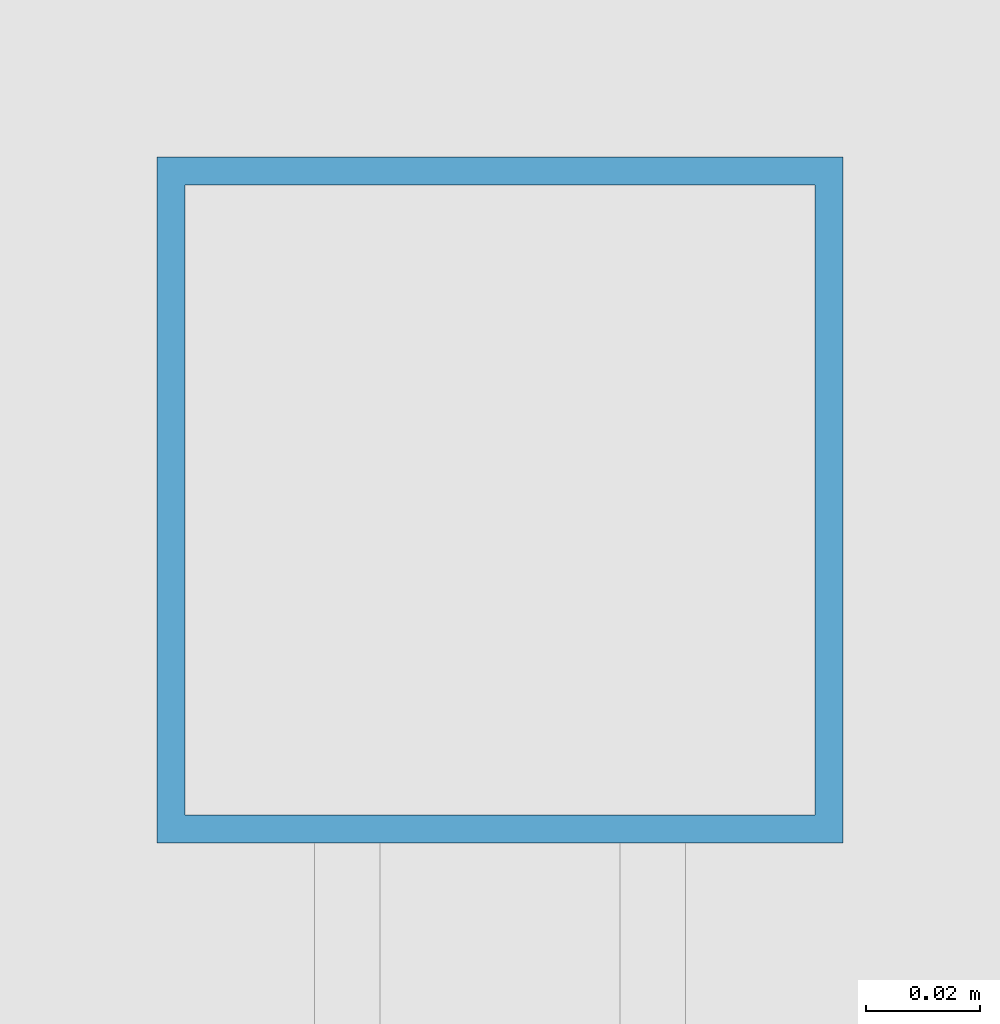
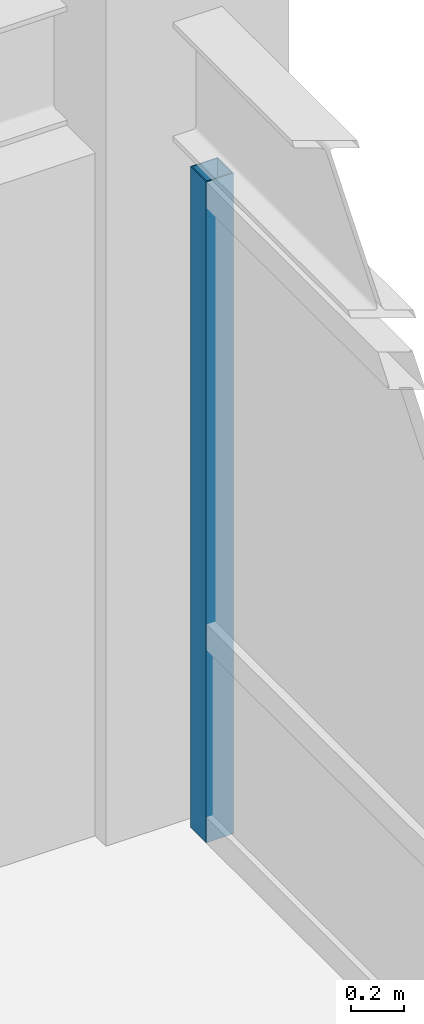
# One storey, part 20 of 32: 1 member, 1 element without a shape of its own.
"""IFC4 building model written with IfcOpenShell, lengths in metres."""

from ifc_helpers import new_model, si_unit, direction, frame, origin, origin_2d, place, context, subcontext, project, spatial, hollow_rectangle, extrude, source, transform, mapped, material, material_profile, profile_set, type_object, element, aggregate, save


model = new_model("IFC4")

# Units and contexts
model_context = context("Model", 3, precision=1e-05, world=origin(), true_north=direction((0.0, 1.0)))
body_context = subcontext(model_context, "Body", "Model", "MODEL_VIEW")
ifc_project = project(units=[si_unit("LENGTHUNIT", "METRE"), si_unit("AREAUNIT", "SQUARE_METRE"), si_unit("VOLUMEUNIT", "CUBIC_METRE"), si_unit("PLANEANGLEUNIT", "RADIAN"), si_unit("MASSUNIT", "GRAM", prefix="KILO")], contexts=[model_context])

# Site, building, storey
site_placement = place(None, origin())
site = spatial("IfcSite", under=ifc_project, at=site_placement, CompositionType="ELEMENT")
building_placement = place(site_placement, origin())
building = spatial("IfcBuilding", under=site, at=building_placement, Name="Khorayat Bourse Tower", CompositionType="ELEMENT")
storey_placement = place(building_placement, frame((0.0, 0.0, 342.300048828125)))
storey = spatial("IfcBuildingStorey", under=building, at=storey_placement, Name="L81", CompositionType="ELEMENT", Elevation=342.300048828125)

# Curtain wall, member
ifc_material = material(Name="Aluminium EN AW-6063 T6", Category="aluminium")
curtain_wall_type = type_object("IfcCurtainWallType", Name="CW-SYS-04", PredefinedType="NOTDEFINED", material=ifc_material)
curtain_wall_placement = place(storey_placement, origin())
curtain_wall = element("IfcCurtainWall", 1, at=curtain_wall_placement, inside=storey, type_object=curtain_wall_type, Name="L81 Curtain Wall CW-L81-E1", PredefinedType="NOTDEFINED")
ifc_material_profile = material_profile(ifc_material, hollow_rectangle(XDim=0.1201171875, YDim=0.1201171875, WallThickness=0.0048828125, at=origin_2d()), Name="ALU 120x120x5")
ifc_profile_set = profile_set([ifc_material_profile], Name="Aluminium EN AW-6063 T6")
member_type = type_object("IfcMemberType", Name="CWM-VERT-120", PredefinedType="MULLION", material=ifc_profile_set)
shared_shape = source(origin(), body_context, "Body", "SweptSolid", [
    extrude(hollow_rectangle(XDim=0.1201171875, YDim=0.1201171875, WallThickness=0.0048828125, at=origin_2d()), origin(), (0.0, 0.0, 1.0), 3.050048828125),
])
member_placement = place(storey_placement, frame((26.0, 19.489990234375, 0.0), z_axis=(0.0, 0.0, 1.0), x_axis=(-1.0, 0.0, 0.0)))
member = element("IfcMember", 2, at=member_placement, type_object=member_type, Name="CW-L81-E1 Vertical Mullion 3", PredefinedType="MULLION", context=body_context, shape_type="MappedRepresentation", body=[
    mapped(shared_shape, transform((0.0, 0.0, 0.0), scale=1.0)),
])
aggregate(curtain_wall, [member])

save(model, "model.ifc")
